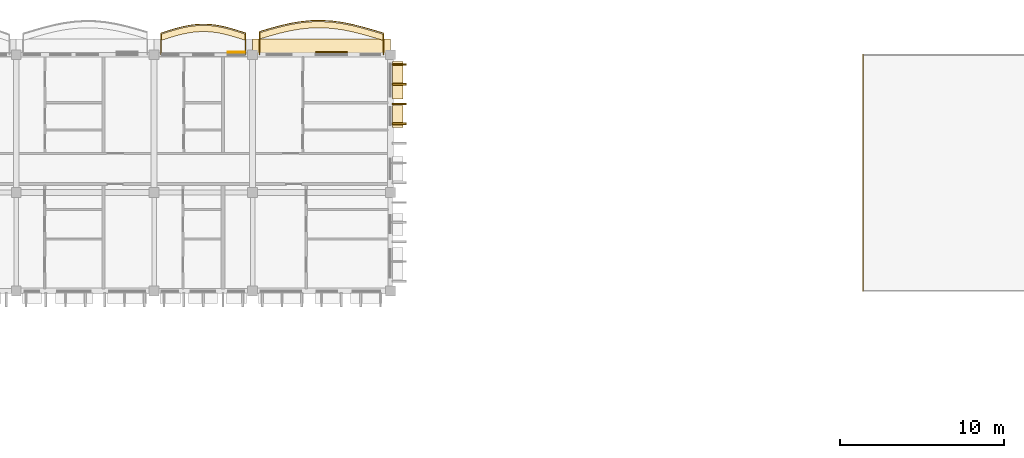
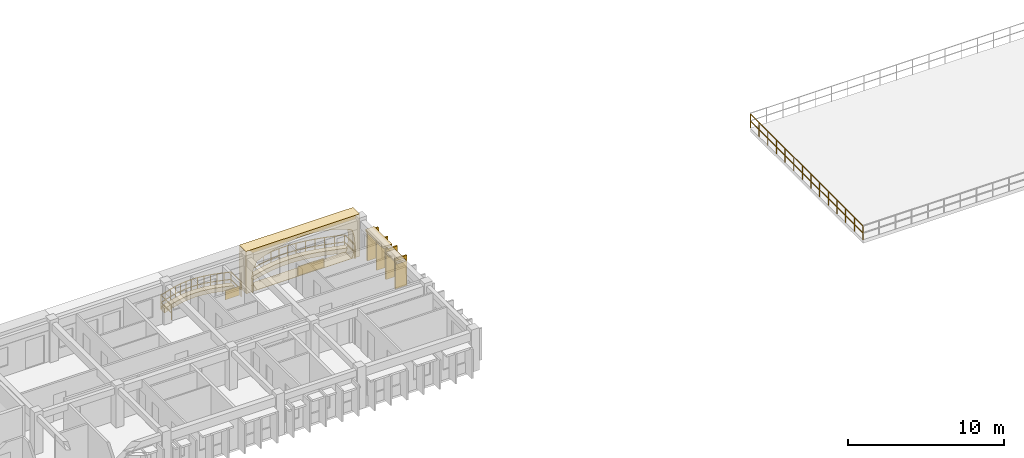
# One storey, part 38 of 45: 11 coverings, 3 railings.
"""IFC4 building model written with IfcOpenShell, lengths in metres."""

from ifc_helpers import new_model, si_unit, direction, frame, origin, origin_2d, place, context, subcontext, project, spatial, polyline, rectangle, outline, extrude, material, layer, layer_set, type_object, element, save


model = new_model("IFC4")

# Units and contexts
model_context = context("Model", 3, precision=1e-05, world=origin(), true_north=direction((0.0, 1.0)))
body_context = subcontext(model_context, "Body", "Model", "MODEL_VIEW")
ifc_project = project(units=[si_unit("LENGTHUNIT", "METRE"), si_unit("AREAUNIT", "SQUARE_METRE"), si_unit("VOLUMEUNIT", "CUBIC_METRE"), si_unit("PLANEANGLEUNIT", "RADIAN"), si_unit("MASSUNIT", "GRAM", prefix="KILO"), si_unit("THERMODYNAMICTEMPERATUREUNIT", "KELVIN")], contexts=[model_context])

# Site, building, storey
site_placement = place(None, origin())
site = spatial("IfcSite", under=ifc_project, at=site_placement, CompositionType="ELEMENT")
building_placement = place(site_placement, origin())
building = spatial("IfcBuilding", under=site, at=building_placement, Name="Thalorik Housing Commons", CompositionType="ELEMENT")
storey_placement = place(building_placement, frame((0.0, 0.0, 34.5)))
storey = spatial("IfcBuildingStorey", under=building, at=storey_placement, Name="L10", CompositionType="ELEMENT", Elevation=34.5)

# Coverings
ifc_material_1 = material(Name="Precast concrete C40/50", Category="concrete")
ifc_layer_1 = layer(ifc_material_1, 0.85009765625, Name="Precast concrete C40/50", Category="concrete")
ifc_layer_set_1 = layer_set([ifc_layer_1], Name="Precast concrete C40/50")
covering_type_1 = type_object("IfcCoveringType", Name="ARC-CLD-CUSH-850", PredefinedType="CLADDING", material=ifc_layer_set_1)
covering_1_placement = place(storey_placement, frame((47.39990234375, 124.142578125, 0.0), z_axis=(0.0, 0.0, 1.0), x_axis=(-1.0, 0.0, 0.0)))
element("IfcCovering", 1, at=covering_1_placement, inside=storey, type_object=covering_type_1, Name="L10 White Precast Curved Cushion Bay Frame 1046", PredefinedType="CLADDING", context=body_context, shape_type="SweptSolid", body=[
    extrude(outline(polyline([(-4.199951171875, 0.0), (4.199951171875, 0.0), (4.199951171875, 3.300048828125), (-4.199951171875, 3.300048828125), (-4.199951171875, 0.0)]), holes=[polyline([(3.38134765625, 0.02490234375), (3.586181640625, 0.3974609375), (3.708984375, 0.77001953125), (3.75, 1.142578125), (3.708984375, 1.514892578125), (3.586181640625, 1.887451171875), (3.38134765625, 2.260009765625), (2.797119140625, 2.497314453125), (2.212890625, 2.683837890625), (1.62841796875, 2.8349609375), (1.044189453125, 2.947265625), (0.4599609375, 3.0166015625), (-0.124267578125, 3.0400390625), (-0.70849609375, 3.0166015625), (-1.29296875, 2.947265625), (-1.877197265625, 2.8349609375), (-2.46142578125, 2.683837890625), (-3.045654296875, 2.497314453125), (-3.6298828125, 2.260009765625), (-3.750244140625, 1.887451171875), (-3.822509765625, 1.514892578125), (-3.8466796875, 1.142578125), (-3.822509765625, 0.77001953125), (-3.750244140625, 0.3974609375), (-3.6298828125, 0.02490234375), (3.38134765625, 0.02490234375)])]), frame((0.0, 0.425048828125, 0.0), z_axis=(0.0, -1.0, 0.0), x_axis=(1.0, 0.0, 0.0)), (0.0, 0.0, 1.0), 0.85009765625),
])
ifc_layer_2 = layer(ifc_material_1, 0.85009765625, Name="Precast concrete C40/50", Category="concrete")
ifc_layer_set_2 = layer_set([ifc_layer_2], Name="Precast concrete C40/50")
covering_type_2 = type_object("IfcCoveringType", Name="ARC-CLD-FIN-850", PredefinedType="CLADDING", material=ifc_layer_set_2)
for number, where, z_axis, x_axis, name in (
    (2, (52.142578125, 119.39990234375, 0.0400390625), (0.0, 0.0, 1.0), (0.0, 1.0, 0.0), "L10 Courtyard Precast Vertical Brise-Soleil Fin 1039"),
    (3, (52.142578125, 120.60009765625, 0.0400390625), (0.0, 0.0, 1.0), (0.0, 1.0, 0.0), "L10 Courtyard Precast Vertical Brise-Soleil Fin 1040"),
    (4, (52.142578125, 121.800048828125, 0.0400390625), (0.0, 0.0, 1.0), (0.0, 1.0, 0.0), "L10 Courtyard Precast Vertical Brise-Soleil Fin 1041"),
    (5, (52.142578125, 123.0, 0.0400390625), (0.0, 0.0, 1.0), (0.0, 1.0, 0.0), "L10 Courtyard Precast Vertical Brise-Soleil Fin 1042"),
):
    element("IfcCovering", number, at=place(storey_placement, frame(where, z_axis=z_axis, x_axis=x_axis)), inside=storey, type_object=covering_type_2, Name=name, PredefinedType="CLADDING", context=body_context, shape_type="SweptSolid", body=[
        extrude(rectangle(XDim=0.110107421875, YDim=0.85009765625, at=origin_2d()), origin(), (0.0, 0.0, 1.0), 2.344970703125),
    ])
ifc_layer_3 = layer(ifc_material_1, 0.64990234375, Name="Precast concrete C40/50", Category="concrete")
ifc_layer_set_3 = layer_set([ifc_layer_3], Name="Precast concrete C40/50")
covering_type_3 = type_object("IfcCoveringType", Name="ARC-CLD-HOOD-650", PredefinedType="CLADDING", material=ifc_layer_set_3)
covering_2_placement = place(storey_placement, frame((52.04248046875, 119.8447265625, 2.08984375), z_axis=(0.0, 0.0, 1.0), x_axis=(0.0, 1.0, 0.0)))
element("IfcCovering", 6, at=covering_2_placement, inside=storey, type_object=covering_type_3, Name="L10 Courtyard Precast Window Sun-Hood 1044", PredefinedType="CLADDING", context=body_context, shape_type="SweptSolid", body=[
    extrude(rectangle(XDim=1.340087890625, YDim=0.64990234375, at=origin_2d()), origin(), (0.0, 0.0, 1.0), 0.139892578125),
])
covering_3_placement = place(storey_placement, frame((52.04248046875, 122.044677734375, 2.25), z_axis=(0.0, 0.0, 1.0), x_axis=(0.0, 1.0, 0.0)))
element("IfcCovering", 7, at=covering_3_placement, inside=storey, type_object=covering_type_3, Name="L10 Courtyard Precast Window Sun-Hood 1045", PredefinedType="CLADDING", context=body_context, shape_type="SweptSolid", body=[
    extrude(rectangle(XDim=2.280029296875, YDim=0.64990234375, at=origin_2d()), origin(), (0.0, 0.0, 1.0), 0.139892578125),
])
ifc_material_2 = material(Name="Terracotta red mineral fibre-cement panel", Category="masonry")
ifc_layer_4 = layer(ifc_material_2, 0.054931640625, Name="Terracotta red mineral fibre-cement panel", Category="masonry")
ifc_layer_set_4 = layer_set([ifc_layer_4], Name="Terracotta red mineral fibre-cement panel")
covering_type_4 = type_object("IfcCoveringType", Name="ARC-CLD-RED-55", PredefinedType="CLADDING", material=ifc_layer_set_4)
covering_4_placement = place(storey_placement, frame((42.205078125, 123.75, 0.0498046875), z_axis=(0.0, 0.0, 1.0), x_axis=(-1.0, 0.0, 0.0)))
element("IfcCovering", 8, at=covering_4_placement, inside=storey, type_object=covering_type_4, Name="L10 De Stijl Recessed Window Spandrel 1049", PredefinedType="CLADDING", context=body_context, shape_type="SweptSolid", body=[
    extrude(rectangle(XDim=1.050048828125, YDim=0.054931640625, at=origin_2d()), origin(), (0.0, 0.0, 1.0), 0.699951171875),
])
ifc_material_3 = material(Name="Mineral ochre architectural terracotta panel", Category="masonry")
ifc_layer_5 = layer(ifc_material_3, 0.06494140625, Name="Mineral ochre architectural terracotta panel", Category="masonry")
ifc_layer_set_5 = layer_set([ifc_layer_5], Name="Mineral ochre architectural terracotta panel")
covering_type_5 = type_object("IfcCoveringType", Name="ARC-CLD-YEL-65", PredefinedType="CLADDING", material=ifc_layer_set_5)
covering_5_placement = place(storey_placement, frame((47.99853515625, 123.7548828125, 0.0498046875), z_axis=(0.0, 0.0, 1.0), x_axis=(-1.0, 0.0, 0.0)))
element("IfcCovering", 9, at=covering_5_placement, inside=storey, type_object=covering_type_5, Name="L10 De Stijl Recessed Window Spandrel 1047", PredefinedType="CLADDING", context=body_context, shape_type="SweptSolid", body=[
    extrude(rectangle(XDim=1.919921875, YDim=0.06494140625, at=origin_2d()), origin(), (0.0, 0.0, 1.0), 0.699951171875),
])
ifc_material_4 = material(Name="Planted vegetated substrate and terracotta trough", Category="masonry")
ifc_layer_6 = layer(ifc_material_4, 0.340087890625, Name="Planted vegetated substrate and terracotta trough", Category="masonry")
ifc_layer_set_6 = layer_set([ifc_layer_6], Name="Planted vegetated substrate and terracotta trough")
covering_type_6 = type_object("IfcCoveringType", Name="ARC-COV-PLANTER", PredefinedType="USERDEFINED", material=ifc_layer_set_6)
covering_6_placement = place(storey_placement, origin())
element("IfcCovering", 10, at=covering_6_placement, inside=storey, type_object=covering_type_6, Name="L10 Balcony Slab-Edge Planted Trough 5387", ObjectType="PLANTER", PredefinedType="USERDEFINED", context=body_context, shape_type="SweptSolid", body=[
    extrude(outline(polyline([(42.780029296875, 124.847900390625), (42.35009765625, 124.987060546875), (41.919921875, 125.117919921875), (41.489990234375, 125.231201171875), (41.06005859375, 125.318359375), (40.6298828125, 125.373291015625), (40.199951171875, 125.39208984375), (39.77001953125, 125.373291015625), (39.340087890625, 125.318359375), (38.909912109375, 125.231201171875), (38.47998046875, 125.117919921875), (38.050048828125, 124.987060546875), (37.6201171875, 124.847900390625), (37.6201171875, 124.4677734375), (38.050048828125, 124.60693359375), (38.47998046875, 124.738037109375), (38.909912109375, 124.85107421875), (39.340087890625, 124.938232421875), (39.77001953125, 124.9931640625), (40.199951171875, 125.011962890625), (40.6298828125, 124.9931640625), (41.06005859375, 124.938232421875), (41.489990234375, 124.85107421875), (41.919921875, 124.738037109375), (42.35009765625, 124.60693359375), (42.780029296875, 124.4677734375), (42.780029296875, 124.847900390625)])), origin(), (0.0, 0.0, 1.0), 0.340087890625),
])
covering_7_placement = place(storey_placement, origin())
element("IfcCovering", 11, at=covering_7_placement, inside=storey, type_object=covering_type_6, Name="L10 Balcony Slab-Edge Planted Trough 5388", ObjectType="PLANTER", PredefinedType="USERDEFINED", context=body_context, shape_type="SweptSolid", body=[
    extrude(outline(polyline([(51.179931640625, 124.844970703125), (50.550048828125, 125.0341796875), (49.919921875, 125.21435546875), (49.2900390625, 125.372802734375), (48.659912109375, 125.4990234375), (48.030029296875, 125.58349609375), (47.39990234375, 125.620849609375), (46.77001953125, 125.6083984375), (46.139892578125, 125.54638671875), (45.510009765625, 125.439697265625), (44.8798828125, 125.29541015625), (44.25, 125.12353515625), (43.6201171875, 124.935791015625), (43.6201171875, 124.555908203125), (44.25, 124.743408203125), (44.8798828125, 124.91552734375), (45.510009765625, 125.059814453125), (46.139892578125, 125.16650390625), (46.77001953125, 125.228271484375), (47.39990234375, 125.240966796875), (48.030029296875, 125.20361328125), (48.659912109375, 125.118896484375), (49.2900390625, 124.992919921875), (49.919921875, 124.834228515625), (50.550048828125, 124.654296875), (51.179931640625, 124.465087890625), (51.179931640625, 124.844970703125)])), origin(), (0.0, 0.0, 1.0), 0.340087890625),
])

# Railings
ifc_material_5 = material(Name="Steel S355", Category="steel")
railing_type_1 = type_object("IfcRailingType", Name="ARC-RL-BAL-112", PredefinedType="BALUSTRADE", material=ifc_material_5)
railing_1_placement = place(storey_placement, frame((51.179931640625, 123.60009765625, 0.0)))
element("IfcRailing", 12, at=railing_1_placement, inside=storey, type_object=railing_type_1, Name="L10 Cushion Balcony Guardrail 72", PredefinedType="BALUSTRADE", context=body_context, shape_type="SweptSolid", body=[
    extrude(rectangle(XDim=0.050048828125, YDim=0.050048828125, at=origin_2d()), frame((0.0, 0.0, 1.09521484375), z_axis=(0.0, 1.0, 0.0), x_axis=(-1.0, 0.0, 0.0)), (0.0, 0.0, 1.0), 1.31494140625),
    extrude(rectangle(XDim=0.050048828125, YDim=0.050048828125, at=origin_2d()), frame((0.0, 0.0, 0.53515625), z_axis=(0.0, 1.0, 0.0), x_axis=(-1.0, 0.0, 0.0)), (0.0, 0.0, 1.0), 1.31494140625),
    extrude(rectangle(XDim=0.050048828125, YDim=0.050048828125, at=origin_2d()), frame((0.0, 1.31494140625, 1.09521484375), z_axis=(-0.957724056546, 0.287688427839, 0.0), x_axis=(-0.287688427839, -0.957724056546, 0.0)), (0.0, 0.0, 1.0), 0.65771484375),
    extrude(rectangle(XDim=0.050048828125, YDim=0.050048828125, at=origin_2d()), frame((0.0, 1.31494140625, 0.53515625), z_axis=(-0.957724056546, 0.287688427839, 0.0), x_axis=(-0.287688427839, -0.957724056546, 0.0)), (0.0, 0.0, 1.0), 0.65771484375),
    extrude(rectangle(XDim=0.050048828125, YDim=0.050048828125, at=origin_2d()), frame((-0.6298828125, 1.504150390625, 1.09521484375), z_axis=(-0.96156611242, 0.274573508273, 0.0), x_axis=(-0.274573508273, -0.96156611242, 0.0)), (0.0, 0.0, 1.0), 0.6552734375),
    extrude(rectangle(XDim=0.050048828125, YDim=0.050048828125, at=origin_2d()), frame((-0.6298828125, 1.504150390625, 0.53515625), z_axis=(-0.96156611242, 0.274573508273, 0.0), x_axis=(-0.274573508273, -0.96156611242, 0.0)), (0.0, 0.0, 1.0), 0.6552734375),
    extrude(rectangle(XDim=0.050048828125, YDim=0.050048828125, at=origin_2d()), frame((-1.260009765625, 1.68408203125, 1.09521484375), z_axis=(-0.969698708752, 0.244303938251, 0.0), x_axis=(-0.244303938251, -0.969698708752, 0.0)), (0.0, 0.0, 1.0), 0.649658203125),
    extrude(rectangle(XDim=0.050048828125, YDim=0.050048828125, at=origin_2d()), frame((-1.260009765625, 1.68408203125, 0.53515625), z_axis=(-0.969698708752, 0.244303938251, 0.0), x_axis=(-0.244303938251, -0.969698708752, 0.0)), (0.0, 0.0, 1.0), 0.649658203125),
    extrude(rectangle(XDim=0.050048828125, YDim=0.050048828125, at=origin_2d()), frame((-1.889892578125, 1.8427734375, 1.09521484375), z_axis=(-0.980522185975, 0.196408357284, 0.0), x_axis=(-0.196408357284, -0.980522185975, 0.0)), (0.0, 0.0, 1.0), 0.642578125),
    extrude(rectangle(XDim=0.050048828125, YDim=0.050048828125, at=origin_2d()), frame((-1.889892578125, 1.8427734375, 0.53515625), z_axis=(-0.980522185975, 0.196408357284, 0.0), x_axis=(-0.196408357284, -0.980522185975, 0.0)), (0.0, 0.0, 1.0), 0.642578125),
    extrude(rectangle(XDim=0.050048828125, YDim=0.050048828125, at=origin_2d()), frame((-2.52001953125, 1.968994140625, 1.09521484375), z_axis=(-0.991126960546, 0.132918576879, 0.0), x_axis=(-0.132918576879, -0.991126960546, 0.0)), (0.0, 0.0, 1.0), 0.635498046875),
    extrude(rectangle(XDim=0.050048828125, YDim=0.050048828125, at=origin_2d()), frame((-2.52001953125, 1.968994140625, 0.53515625), z_axis=(-0.991126960546, 0.132918576879, 0.0), x_axis=(-0.132918576879, -0.991126960546, 0.0)), (0.0, 0.0, 1.0), 0.635498046875),
    extrude(rectangle(XDim=0.050048828125, YDim=0.050048828125, at=origin_2d()), frame((-3.14990234375, 2.053466796875, 1.09521484375), z_axis=(-0.998247596549, 0.059175467754, 0.0), x_axis=(-0.059175467754, -0.998247596549, 0.0)), (0.0, 0.0, 1.0), 0.63134765625),
    extrude(rectangle(XDim=0.050048828125, YDim=0.050048828125, at=origin_2d()), frame((-3.14990234375, 2.053466796875, 0.53515625), z_axis=(-0.998247596549, 0.059175467754, 0.0), x_axis=(-0.059175467754, -0.998247596549, 0.0)), (0.0, 0.0, 1.0), 0.63134765625),
    extrude(rectangle(XDim=0.050048828125, YDim=0.050048828125, at=origin_2d()), frame((-3.780029296875, 2.0908203125, 1.09521484375), z_axis=(-0.999796949068, -0.02015094626, 0.0), x_axis=(0.02015094626, -0.999796949068, 0.0)), (0.0, 0.0, 1.0), 0.630126953125),
    extrude(rectangle(XDim=0.050048828125, YDim=0.050048828125, at=origin_2d()), frame((-3.780029296875, 2.0908203125, 0.53515625), z_axis=(-0.999796949068, -0.02015094626, 0.0), x_axis=(0.02015094626, -0.999796949068, 0.0)), (0.0, 0.0, 1.0), 0.630126953125),
    extrude(rectangle(XDim=0.050048828125, YDim=0.050048828125, at=origin_2d()), frame((-4.409912109375, 2.078125, 1.09521484375), z_axis=(-0.995229993395, -0.097556446466, 0.0), x_axis=(0.097556446466, -0.995229993395, 0.0)), (0.0, 0.0, 1.0), 0.633056640625),
    extrude(rectangle(XDim=0.050048828125, YDim=0.050048828125, at=origin_2d()), frame((-4.409912109375, 2.078125, 0.53515625), z_axis=(-0.995229993395, -0.097556446466, 0.0), x_axis=(0.097556446466, -0.995229993395, 0.0)), (0.0, 0.0, 1.0), 0.633056640625),
    extrude(rectangle(XDim=0.050048828125, YDim=0.050048828125, at=origin_2d()), frame((-5.0400390625, 2.016357421875, 1.09521484375), z_axis=(-0.985956693723, -0.167001191921, 0.0), x_axis=(0.167001191921, -0.985956693723, 0.0)), (0.0, 0.0, 1.0), 0.638916015625),
    extrude(rectangle(XDim=0.050048828125, YDim=0.050048828125, at=origin_2d()), frame((-5.0400390625, 2.016357421875, 0.53515625), z_axis=(-0.985956693723, -0.167001191921, 0.0), x_axis=(0.167001191921, -0.985956693723, 0.0)), (0.0, 0.0, 1.0), 0.638916015625),
    extrude(rectangle(XDim=0.050048828125, YDim=0.050048828125, at=origin_2d()), frame((-5.669921875, 1.90966796875, 1.09521484375), z_axis=(-0.974771705856, -0.223204214708, 0.0), x_axis=(0.223204214708, -0.974771705856, 0.0)), (0.0, 0.0, 1.0), 0.646484375),
    extrude(rectangle(XDim=0.050048828125, YDim=0.050048828125, at=origin_2d()), frame((-5.669921875, 1.90966796875, 0.53515625), z_axis=(-0.974771705856, -0.223204214708, 0.0), x_axis=(0.223204214708, -0.974771705856, 0.0)), (0.0, 0.0, 1.0), 0.646484375),
    extrude(rectangle(XDim=0.050048828125, YDim=0.050048828125, at=origin_2d()), frame((-6.300048828125, 1.765380859375, 1.09521484375), z_axis=(-0.964729296683, -0.263243963126, 0.0), x_axis=(0.263243963126, -0.964729296683, 0.0)), (0.0, 0.0, 1.0), 0.65283203125),
    extrude(rectangle(XDim=0.050048828125, YDim=0.050048828125, at=origin_2d()), frame((-6.300048828125, 1.765380859375, 0.53515625), z_axis=(-0.964729296683, -0.263243963126, 0.0), x_axis=(0.263243963126, -0.964729296683, 0.0)), (0.0, 0.0, 1.0), 0.65283203125),
    extrude(rectangle(XDim=0.050048828125, YDim=0.050048828125, at=origin_2d()), frame((-6.929931640625, 1.593505859375, 1.09521484375), z_axis=(-0.958335936708, -0.285643540825, 0.0), x_axis=(0.285643540825, -0.958335936708, 0.0)), (0.0, 0.0, 1.0), 0.6572265625),
    extrude(rectangle(XDim=0.050048828125, YDim=0.050048828125, at=origin_2d()), frame((-6.929931640625, 1.593505859375, 0.53515625), z_axis=(-0.958335936708, -0.285643540825, 0.0), x_axis=(0.285643540825, -0.958335936708, 0.0)), (0.0, 0.0, 1.0), 0.6572265625),
    extrude(rectangle(XDim=0.050048828125, YDim=0.050048828125, at=origin_2d()), frame((-7.559814453125, 1.40576171875, 1.09521484375), z_axis=(0.0, -1.0, 0.0), x_axis=(1.0, 0.0, 0.0)), (0.0, 0.0, 1.0), 1.40576171875),
    extrude(rectangle(XDim=0.050048828125, YDim=0.050048828125, at=origin_2d()), frame((-7.559814453125, 1.40576171875, 0.53515625), z_axis=(0.0, -1.0, 0.0), x_axis=(1.0, 0.0, 0.0)), (0.0, 0.0, 1.0), 1.40576171875),
    extrude(rectangle(XDim=0.0419921875, YDim=0.0419921875, at=origin_2d()), origin(), (0.0, 0.0, 1.0), 1.070068359375),
    extrude(rectangle(XDim=0.0419921875, YDim=0.0419921875, at=origin_2d()), frame((0.0, 1.31494140625, 0.0)), (0.0, 0.0, 1.0), 1.070068359375),
    extrude(rectangle(XDim=0.0419921875, YDim=0.0419921875, at=origin_2d()), frame((-0.6298828125, 1.504150390625, 0.0)), (0.0, 0.0, 1.0), 1.070068359375),
    extrude(rectangle(XDim=0.0419921875, YDim=0.0419921875, at=origin_2d()), frame((-1.260009765625, 1.68408203125, 0.0)), (0.0, 0.0, 1.0), 1.070068359375),
    extrude(rectangle(XDim=0.0419921875, YDim=0.0419921875, at=origin_2d()), frame((-1.889892578125, 1.8427734375, 0.0)), (0.0, 0.0, 1.0), 1.070068359375),
    extrude(rectangle(XDim=0.0419921875, YDim=0.0419921875, at=origin_2d()), frame((-2.52001953125, 1.968994140625, 0.0)), (0.0, 0.0, 1.0), 1.070068359375),
    extrude(rectangle(XDim=0.0419921875, YDim=0.0419921875, at=origin_2d()), frame((-3.14990234375, 2.053466796875, 0.0)), (0.0, 0.0, 1.0), 1.070068359375),
    extrude(rectangle(XDim=0.0419921875, YDim=0.0419921875, at=origin_2d()), frame((-3.780029296875, 2.0908203125, 0.0)), (0.0, 0.0, 1.0), 1.070068359375),
    extrude(rectangle(XDim=0.0419921875, YDim=0.0419921875, at=origin_2d()), frame((-4.409912109375, 2.078125, 0.0)), (0.0, 0.0, 1.0), 1.070068359375),
    extrude(rectangle(XDim=0.0419921875, YDim=0.0419921875, at=origin_2d()), frame((-5.0400390625, 2.016357421875, 0.0)), (0.0, 0.0, 1.0), 1.070068359375),
    extrude(rectangle(XDim=0.0419921875, YDim=0.0419921875, at=origin_2d()), frame((-5.669921875, 1.90966796875, 0.0)), (0.0, 0.0, 1.0), 1.070068359375),
    extrude(rectangle(XDim=0.0419921875, YDim=0.0419921875, at=origin_2d()), frame((-6.300048828125, 1.765380859375, 0.0)), (0.0, 0.0, 1.0), 1.070068359375),
    extrude(rectangle(XDim=0.0419921875, YDim=0.0419921875, at=origin_2d()), frame((-6.929931640625, 1.593505859375, 0.0)), (0.0, 0.0, 1.0), 1.070068359375),
    extrude(rectangle(XDim=0.0419921875, YDim=0.0419921875, at=origin_2d()), frame((-7.559814453125, 1.40576171875, 0.0)), (0.0, 0.0, 1.0), 1.070068359375),
    extrude(rectangle(XDim=0.0419921875, YDim=0.0419921875, at=origin_2d()), frame((-7.559814453125, 0.0, 0.0)), (0.0, 0.0, 1.0), 1.070068359375),
])
railing_type_2 = type_object("IfcRailingType", Name="ARC-RL-BAL-115", PredefinedType="BALUSTRADE", material=ifc_material_5)
railing_2_placement = place(storey_placement, frame((42.780029296875, 123.60009765625, 0.0)))
element("IfcRailing", 13, at=railing_2_placement, inside=storey, type_object=railing_type_2, Name="L10 Cushion Balcony Guardrail 71", PredefinedType="BALUSTRADE", context=body_context, shape_type="SweptSolid", body=[
    extrude(rectangle(XDim=0.050048828125, YDim=0.050048828125, at=origin_2d()), frame((0.0, 0.0, 1.125), z_axis=(0.0, 1.0, 0.0), x_axis=(-1.0, 0.0, 0.0)), (0.0, 0.0, 1.0), 1.317626953125),
    extrude(rectangle(XDim=0.050048828125, YDim=0.050048828125, at=origin_2d()), frame((0.0, 0.0, 0.5498046875), z_axis=(0.0, 1.0, 0.0), x_axis=(-1.0, 0.0, 0.0)), (0.0, 0.0, 1.0), 1.317626953125),
    extrude(rectangle(XDim=0.050048828125, YDim=0.050048828125, at=origin_2d()), frame((0.0, 1.317626953125, 1.125), z_axis=(-0.951402625637, 0.30794974254, 0.0), x_axis=(-0.30794974254, -0.951402625637, 0.0)), (0.0, 0.0, 1.0), 0.451904296875),
    extrude(rectangle(XDim=0.050048828125, YDim=0.050048828125, at=origin_2d()), frame((0.0, 1.317626953125, 0.5498046875), z_axis=(-0.951402625637, 0.30794974254, 0.0), x_axis=(-0.30794974254, -0.951402625637, 0.0)), (0.0, 0.0, 1.0), 0.451904296875),
    extrude(rectangle(XDim=0.050048828125, YDim=0.050048828125, at=origin_2d()), frame((-0.429931640625, 1.456787109375, 1.125), z_axis=(-0.956562039655, 0.291528839554, 0.0), x_axis=(-0.291528839554, -0.956562039655, 0.0)), (0.0, 0.0, 1.0), 0.44970703125),
    extrude(rectangle(XDim=0.050048828125, YDim=0.050048828125, at=origin_2d()), frame((-0.429931640625, 1.456787109375, 0.5498046875), z_axis=(-0.956562039655, 0.291528839554, 0.0), x_axis=(-0.291528839554, -0.956562039655, 0.0)), (0.0, 0.0, 1.0), 0.44970703125),
    extrude(rectangle(XDim=0.050048828125, YDim=0.050048828125, at=origin_2d()), frame((-0.860107421875, 1.587890625, 1.125), z_axis=(-0.967131424423, 0.254277029817, 0.0), x_axis=(-0.254277029817, -0.967131424423, 0.0)), (0.0, 0.0, 1.0), 0.444580078125),
    extrude(rectangle(XDim=0.050048828125, YDim=0.050048828125, at=origin_2d()), frame((-0.860107421875, 1.587890625, 0.5498046875), z_axis=(-0.967131424423, 0.254277029817, 0.0), x_axis=(-0.254277029817, -0.967131424423, 0.0)), (0.0, 0.0, 1.0), 0.444580078125),
    extrude(rectangle(XDim=0.050048828125, YDim=0.050048828125, at=origin_2d()), frame((-1.2900390625, 1.700927734375, 1.125), z_axis=(-0.980063583933, 0.198684099639, 0.0), x_axis=(-0.198684099639, -0.980063583933, 0.0)), (0.0, 0.0, 1.0), 0.438720703125),
    extrude(rectangle(XDim=0.050048828125, YDim=0.050048828125, at=origin_2d()), frame((-1.2900390625, 1.700927734375, 0.5498046875), z_axis=(-0.980063583933, 0.198684099639, 0.0), x_axis=(-0.198684099639, -0.980063583933, 0.0)), (0.0, 0.0, 1.0), 0.438720703125),
    extrude(rectangle(XDim=0.050048828125, YDim=0.050048828125, at=origin_2d()), frame((-1.719970703125, 1.7880859375, 1.125), z_axis=(-0.991945265219, 0.126667244424, 0.0), x_axis=(-0.126667244424, -0.991945265219, 0.0)), (0.0, 0.0, 1.0), 0.43359375),
    extrude(rectangle(XDim=0.050048828125, YDim=0.050048828125, at=origin_2d()), frame((-1.719970703125, 1.7880859375, 0.5498046875), z_axis=(-0.991945265219, 0.126667244424, 0.0), x_axis=(-0.126667244424, -0.991945265219, 0.0)), (0.0, 0.0, 1.0), 0.43359375),
    extrude(rectangle(XDim=0.050048828125, YDim=0.050048828125, at=origin_2d()), frame((-2.150146484375, 1.843017578125, 1.125), z_axis=(-0.999045423924, 0.043683417173, 0.0), x_axis=(-0.043683417173, -0.999045423924, 0.0)), (0.0, 0.0, 1.0), 0.430419921875),
    extrude(rectangle(XDim=0.050048828125, YDim=0.050048828125, at=origin_2d()), frame((-2.150146484375, 1.843017578125, 0.5498046875), z_axis=(-0.999045423924, 0.043683417173, 0.0), x_axis=(-0.043683417173, -0.999045423924, 0.0)), (0.0, 0.0, 1.0), 0.430419921875),
    extrude(rectangle(XDim=0.050048828125, YDim=0.050048828125, at=origin_2d()), frame((-2.580078125, 1.86181640625, 1.125), z_axis=(-0.999045423924, -0.043683417173, 0.0), x_axis=(0.043683417173, -0.999045423924, 0.0)), (0.0, 0.0, 1.0), 0.430419921875),
    extrude(rectangle(XDim=0.050048828125, YDim=0.050048828125, at=origin_2d()), frame((-2.580078125, 1.86181640625, 0.5498046875), z_axis=(-0.999045423924, -0.043683417173, 0.0), x_axis=(0.043683417173, -0.999045423924, 0.0)), (0.0, 0.0, 1.0), 0.430419921875),
    extrude(rectangle(XDim=0.050048828125, YDim=0.050048828125, at=origin_2d()), frame((-3.010009765625, 1.843017578125, 1.125), z_axis=(-0.991936225096, -0.126738018539, 0.0), x_axis=(0.126738018539, -0.991936225096, 0.0)), (0.0, 0.0, 1.0), 0.433349609375),
    extrude(rectangle(XDim=0.050048828125, YDim=0.050048828125, at=origin_2d()), frame((-3.010009765625, 1.843017578125, 0.5498046875), z_axis=(-0.991936225096, -0.126738018539, 0.0), x_axis=(0.126738018539, -0.991936225096, 0.0)), (0.0, 0.0, 1.0), 0.433349609375),
    extrude(rectangle(XDim=0.050048828125, YDim=0.050048828125, at=origin_2d()), frame((-3.43994140625, 1.7880859375, 1.125), z_axis=(-0.980085535519, -0.198575786708, 0.0), x_axis=(0.198575786708, -0.980085535519, 0.0)), (0.0, 0.0, 1.0), 0.43896484375),
    extrude(rectangle(XDim=0.050048828125, YDim=0.050048828125, at=origin_2d()), frame((-3.43994140625, 1.7880859375, 0.5498046875), z_axis=(-0.980085535519, -0.198575786708, 0.0), x_axis=(0.198575786708, -0.980085535519, 0.0)), (0.0, 0.0, 1.0), 0.43896484375),
    extrude(rectangle(XDim=0.050048828125, YDim=0.050048828125, at=origin_2d()), frame((-3.8701171875, 1.700927734375, 1.125), z_axis=(-0.967131424423, -0.254277029817, 0.0), x_axis=(0.254277029817, -0.967131424423, 0.0)), (0.0, 0.0, 1.0), 0.444580078125),
    extrude(rectangle(XDim=0.050048828125, YDim=0.050048828125, at=origin_2d()), frame((-3.8701171875, 1.700927734375, 0.5498046875), z_axis=(-0.967131424423, -0.254277029817, 0.0), x_axis=(0.254277029817, -0.967131424423, 0.0)), (0.0, 0.0, 1.0), 0.444580078125),
    extrude(rectangle(XDim=0.050048828125, YDim=0.050048828125, at=origin_2d()), frame((-4.300048828125, 1.587890625, 1.125), z_axis=(-0.956515864466, -0.2916803062, 0.0), x_axis=(0.2916803062, -0.956515864466, 0.0)), (0.0, 0.0, 1.0), 0.449462890625),
    extrude(rectangle(XDim=0.050048828125, YDim=0.050048828125, at=origin_2d()), frame((-4.300048828125, 1.587890625, 0.5498046875), z_axis=(-0.956515864466, -0.2916803062, 0.0), x_axis=(0.2916803062, -0.956515864466, 0.0)), (0.0, 0.0, 1.0), 0.449462890625),
    extrude(rectangle(XDim=0.050048828125, YDim=0.050048828125, at=origin_2d()), frame((-4.72998046875, 1.456787109375, 1.125), z_axis=(-0.951402625637, -0.30794974254, 0.0), x_axis=(0.30794974254, -0.951402625637, 0.0)), (0.0, 0.0, 1.0), 0.451904296875),
    extrude(rectangle(XDim=0.050048828125, YDim=0.050048828125, at=origin_2d()), frame((-4.72998046875, 1.456787109375, 0.5498046875), z_axis=(-0.951402625637, -0.30794974254, 0.0), x_axis=(0.30794974254, -0.951402625637, 0.0)), (0.0, 0.0, 1.0), 0.451904296875),
    extrude(rectangle(XDim=0.050048828125, YDim=0.050048828125, at=origin_2d()), frame((-5.159912109375, 1.317626953125, 1.125), z_axis=(0.0, -1.0, 0.0), x_axis=(1.0, 0.0, 0.0)), (0.0, 0.0, 1.0), 1.317626953125),
    extrude(rectangle(XDim=0.050048828125, YDim=0.050048828125, at=origin_2d()), frame((-5.159912109375, 1.317626953125, 0.5498046875), z_axis=(0.0, -1.0, 0.0), x_axis=(1.0, 0.0, 0.0)), (0.0, 0.0, 1.0), 1.317626953125),
    extrude(rectangle(XDim=0.0419921875, YDim=0.0419921875, at=origin_2d()), origin(), (0.0, 0.0, 1.0), 1.099853515625),
    extrude(rectangle(XDim=0.0419921875, YDim=0.0419921875, at=origin_2d()), frame((0.0, 1.317626953125, 0.0)), (0.0, 0.0, 1.0), 1.099853515625),
    extrude(rectangle(XDim=0.0419921875, YDim=0.0419921875, at=origin_2d()), frame((-0.429931640625, 1.456787109375, 0.0)), (0.0, 0.0, 1.0), 1.099853515625),
    extrude(rectangle(XDim=0.0419921875, YDim=0.0419921875, at=origin_2d()), frame((-0.860107421875, 1.587890625, 0.0)), (0.0, 0.0, 1.0), 1.099853515625),
    extrude(rectangle(XDim=0.0419921875, YDim=0.0419921875, at=origin_2d()), frame((-1.2900390625, 1.700927734375, 0.0)), (0.0, 0.0, 1.0), 1.099853515625),
    extrude(rectangle(XDim=0.0419921875, YDim=0.0419921875, at=origin_2d()), frame((-1.719970703125, 1.7880859375, 0.0)), (0.0, 0.0, 1.0), 1.099853515625),
    extrude(rectangle(XDim=0.0419921875, YDim=0.0419921875, at=origin_2d()), frame((-2.150146484375, 1.843017578125, 0.0)), (0.0, 0.0, 1.0), 1.099853515625),
    extrude(rectangle(XDim=0.0419921875, YDim=0.0419921875, at=origin_2d()), frame((-2.580078125, 1.86181640625, 0.0)), (0.0, 0.0, 1.0), 1.099853515625),
    extrude(rectangle(XDim=0.0419921875, YDim=0.0419921875, at=origin_2d()), frame((-3.010009765625, 1.843017578125, 0.0)), (0.0, 0.0, 1.0), 1.099853515625),
    extrude(rectangle(XDim=0.0419921875, YDim=0.0419921875, at=origin_2d()), frame((-3.43994140625, 1.7880859375, 0.0)), (0.0, 0.0, 1.0), 1.099853515625),
    extrude(rectangle(XDim=0.0419921875, YDim=0.0419921875, at=origin_2d()), frame((-3.8701171875, 1.700927734375, 0.0)), (0.0, 0.0, 1.0), 1.099853515625),
    extrude(rectangle(XDim=0.0419921875, YDim=0.0419921875, at=origin_2d()), frame((-4.300048828125, 1.587890625, 0.0)), (0.0, 0.0, 1.0), 1.099853515625),
    extrude(rectangle(XDim=0.0419921875, YDim=0.0419921875, at=origin_2d()), frame((-4.72998046875, 1.456787109375, 0.0)), (0.0, 0.0, 1.0), 1.099853515625),
    extrude(rectangle(XDim=0.0419921875, YDim=0.0419921875, at=origin_2d()), frame((-5.159912109375, 1.317626953125, 0.0)), (0.0, 0.0, 1.0), 1.099853515625),
    extrude(rectangle(XDim=0.0419921875, YDim=0.0419921875, at=origin_2d()), frame((-5.159912109375, 0.0, 0.0)), (0.0, 0.0, 1.0), 1.099853515625),
])
railing_type_3 = type_object("IfcRailingType", Name="ARC-RL-TER-112", PredefinedType="GUARDRAIL", material=ifc_material_5)
railing_3_placement = place(storey_placement, frame((80.39990234375, 123.60009765625, 0.0)))
element("IfcRailing", 14, at=railing_3_placement, inside=storey, type_object=railing_type_3, Name="L10 L10 West Sky-Garden Terrace Edge Guardrail", PredefinedType="GUARDRAIL", context=body_context, shape_type="SweptSolid", body=[
    extrude(rectangle(XDim=0.048095703125, YDim=0.048095703125, at=origin_2d()), frame((0.0, 0.0, 1.09619140625), z_axis=(0.0, -1.0, 0.0), x_axis=(1.0, 0.0, 0.0)), (0.0, 0.0, 1.0), 14.400146484375),
    extrude(rectangle(XDim=0.048095703125, YDim=0.048095703125, at=origin_2d()), frame((0.0, 0.0, 0.5361328125), z_axis=(0.0, -1.0, 0.0), x_axis=(1.0, 0.0, 0.0)), (0.0, 0.0, 1.0), 14.400146484375),
    extrude(rectangle(XDim=0.0419921875, YDim=0.0419921875, at=origin_2d()), origin(), (0.0, 0.0, 1.0), 1.072021484375),
    extrude(rectangle(XDim=0.0419921875, YDim=0.0419921875, at=origin_2d()), frame((0.0, -1.107666015625, 0.0)), (0.0, 0.0, 1.0), 1.072021484375),
    extrude(rectangle(XDim=0.0419921875, YDim=0.0419921875, at=origin_2d()), frame((0.0, -2.21533203125, 0.0)), (0.0, 0.0, 1.0), 1.072021484375),
    extrude(rectangle(XDim=0.0419921875, YDim=0.0419921875, at=origin_2d()), frame((0.0, -3.322998046875, 0.0)), (0.0, 0.0, 1.0), 1.072021484375),
    extrude(rectangle(XDim=0.0419921875, YDim=0.0419921875, at=origin_2d()), frame((0.0, -4.430908203125, 0.0)), (0.0, 0.0, 1.0), 1.072021484375),
    extrude(rectangle(XDim=0.0419921875, YDim=0.0419921875, at=origin_2d()), frame((0.0, -5.53857421875, 0.0)), (0.0, 0.0, 1.0), 1.072021484375),
    extrude(rectangle(XDim=0.0419921875, YDim=0.0419921875, at=origin_2d()), frame((0.0, -6.646240234375, 0.0)), (0.0, 0.0, 1.0), 1.072021484375),
    extrude(rectangle(XDim=0.0419921875, YDim=0.0419921875, at=origin_2d()), frame((0.0, -7.75390625, 0.0)), (0.0, 0.0, 1.0), 1.072021484375),
    extrude(rectangle(XDim=0.0419921875, YDim=0.0419921875, at=origin_2d()), frame((0.0, -8.861572265625, 0.0)), (0.0, 0.0, 1.0), 1.072021484375),
    extrude(rectangle(XDim=0.0419921875, YDim=0.0419921875, at=origin_2d()), frame((0.0, -9.96923828125, 0.0)), (0.0, 0.0, 1.0), 1.072021484375),
    extrude(rectangle(XDim=0.0419921875, YDim=0.0419921875, at=origin_2d()), frame((0.0, -11.0771484375, 0.0)), (0.0, 0.0, 1.0), 1.072021484375),
    extrude(rectangle(XDim=0.0419921875, YDim=0.0419921875, at=origin_2d()), frame((0.0, -12.184814453125, 0.0)), (0.0, 0.0, 1.0), 1.072021484375),
    extrude(rectangle(XDim=0.0419921875, YDim=0.0419921875, at=origin_2d()), frame((0.0, -13.29248046875, 0.0)), (0.0, 0.0, 1.0), 1.072021484375),
    extrude(rectangle(XDim=0.0419921875, YDim=0.0419921875, at=origin_2d()), frame((0.0, -14.400146484375, 0.0)), (0.0, 0.0, 1.0), 1.072021484375),
])

save(model, "model.ifc")
